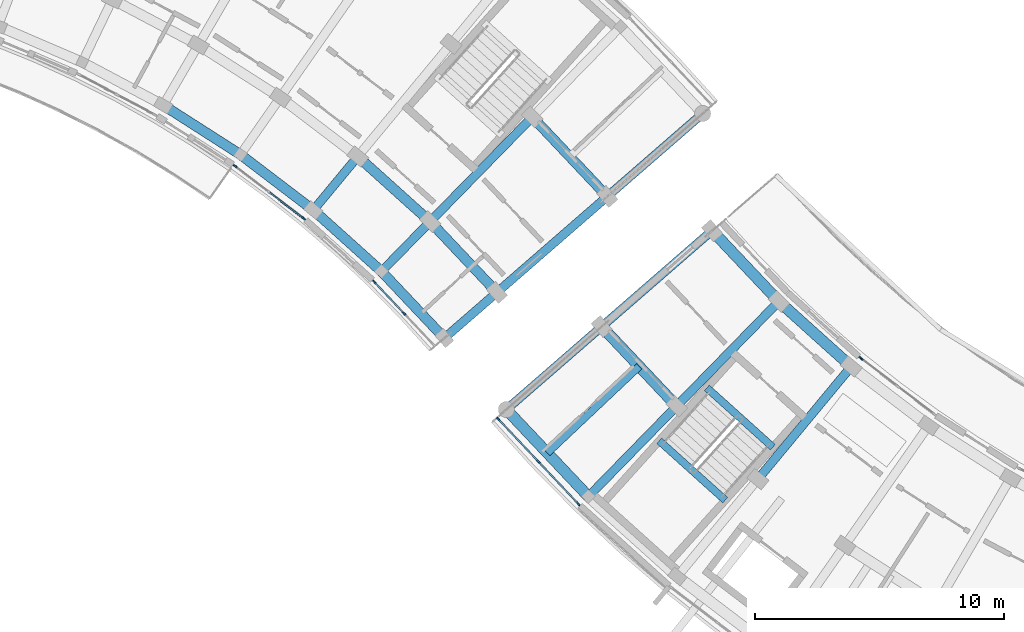
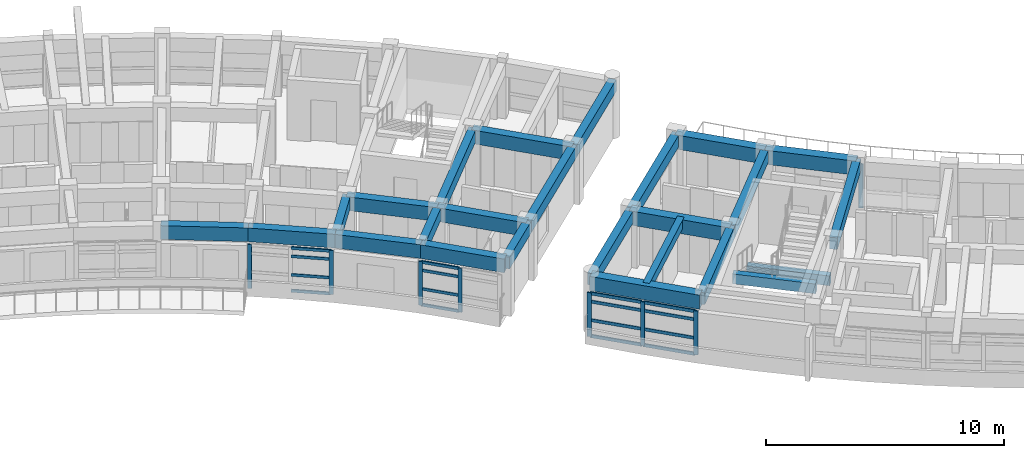
# One storey, part 10 of 54: 25 beams, 24 members, 4 elements without a shape of their own.
"""IFC4 building model written with IfcOpenShell, lengths in metres."""

from ifc_helpers import new_model, si_unit, direction, frame, origin, origin_2d, place, context, subcontext, project, spatial, rectangle, extrude, material, material_profile, profile_set, type_object, element, aggregate, save


model = new_model("IFC4")

# Units and contexts
model_context = context("Model", 3, precision=1e-05, world=origin(), true_north=direction((0.0, 1.0)))
body_context = subcontext(model_context, "Body", "Model", "MODEL_VIEW")
ifc_project = project(units=[si_unit("LENGTHUNIT", "METRE"), si_unit("AREAUNIT", "SQUARE_METRE"), si_unit("VOLUMEUNIT", "CUBIC_METRE"), si_unit("PLANEANGLEUNIT", "RADIAN"), si_unit("MASSUNIT", "GRAM", prefix="KILO")], contexts=[model_context])

# Site, building, storey
site_placement = place(None, origin())
site = spatial("IfcSite", under=ifc_project, at=site_placement, CompositionType="ELEMENT")
building_placement = place(site_placement, origin())
building = spatial("IfcBuilding", under=site, at=building_placement, Name="Zimvara Arc Housing Community", CompositionType="ELEMENT")
storey_placement = place(building_placement, frame((0.0, 0.0, 23.60009765625)))
storey = spatial("IfcBuildingStorey", under=building, at=storey_placement, Name="L07", CompositionType="ELEMENT", Elevation=23.60009765625)

# Beams
ifc_material_1 = material(Name="Concrete C40/50", Category="concrete")
ifc_material_profile_1 = material_profile(ifc_material_1, rectangle(XDim=0.300048828125, YDim=0.449951171875, at=origin_2d()), Name="RC 300x450")
ifc_profile_set_1 = profile_set([ifc_material_profile_1], Name="Concrete C40/50")
beam_type_1 = type_object("IfcBeamType", Name="BM-RC-300x450", PredefinedType="JOIST", material=ifc_profile_set_1)
beam_1_placement = place(storey_placement, frame((86.88427734375, 72.966552734375, 2.635009765625), z_axis=(-0.727299876429, -0.686319815936, 0.0), x_axis=(0.686319815936, -0.727299876429, 0.0)))
element("IfcBeam", 1, at=beam_1_placement, inside=storey, type_object=beam_type_1, Name="bm:blkC:L07:joist:b0", PredefinedType="JOIST", context=body_context, shape_type="SweptSolid", body=[
    extrude(rectangle(XDim=0.300048828125, YDim=0.449951171875, at=origin_2d()), origin(), (0.0, 0.0, 1.0), 5.075927734375),
])
ifc_material_2 = material(Name="Concrete C40/50", Category="concrete")
ifc_material_profile_2 = material_profile(ifc_material_2, rectangle(XDim=0.300048828125, YDim=0.5, at=origin_2d()), Name="RC 300x500")
ifc_profile_set_2 = profile_set([ifc_material_profile_2], Name="Concrete C40/50")
beam_type_2 = type_object("IfcBeamType", Name="BM-RC-300x500", PredefinedType="BEAM", material=ifc_profile_set_2)
beam_2_placement = place(storey_placement, frame((89.604248046875, 72.100830078125, -0.25), z_axis=(0.743396155404, -0.668851370732, 0.0), x_axis=(0.668851370732, 0.743396155404, 0.0)))
element("IfcBeam", 2, at=beam_2_placement, inside=storey, type_object=beam_type_2, Name="bm:stair_trim:ST-C1:L07:near", PredefinedType="BEAM", context=body_context, shape_type="SweptSolid", body=[
    extrude(rectangle(XDim=0.300048828125, YDim=0.5, at=origin_2d()), origin(), (0.0, 0.0, 1.0), 3.56982421875),
])
beam_3_placement = place(storey_placement, frame((87.68994140625, 69.973388671875, 1.2998046875), z_axis=(0.743362151162, -0.668889162881, 0.0), x_axis=(0.668889162881, 0.743362151162, 0.0)))
element("IfcBeam", 3, at=beam_3_placement, inside=storey, type_object=beam_type_2, Name="bm:stair_trim:ST-C1:L07:mid", PredefinedType="BEAM", context=body_context, shape_type="SweptSolid", body=[
    extrude(rectangle(XDim=0.300048828125, YDim=0.5, at=origin_2d()), origin(), (0.0, 0.0, 1.0), 3.570068359375),
])
ifc_material_3 = material(Name="Concrete C40/50", Category="concrete")
ifc_material_profile_3 = material_profile(ifc_material_3, rectangle(XDim=0.35009765625, YDim=0.60009765625, at=origin_2d()), Name="RC 350x600")
ifc_profile_set_3 = profile_set([ifc_material_profile_3], Name="Concrete C40/50")
beam_type_3 = type_object("IfcBeamType", Name="BM-RC-350x600", PredefinedType="BEAM", material=ifc_profile_set_3)
for number, where, z_axis, x_axis, name in (
    (4, (73.784912109375, 79.245361328125, 2.559814453125), (0.637917412223, 0.770104781951, 0.0), (-0.770104781951, 0.637917412223, 0.0), "bm:blkB:L07:rad:b8:r01"),
    (5, (76.523681640625, 76.781005859375, 2.559814453125), (0.698643013894, 0.71547043205, 0.0), (-0.71547043205, 0.698643013894, 0.0), "bm:blkB:L07:rad:b9:r01"),
):
    element("IfcBeam", number, at=place(storey_placement, frame(where, z_axis=z_axis, x_axis=x_axis)), inside=storey, type_object=beam_type_3, Name=name, PredefinedType="BEAM", context=body_context, shape_type="SweptSolid", body=[
        extrude(rectangle(XDim=0.35009765625, YDim=0.60009765625, at=origin_2d()), origin(), (0.0, 0.0, 1.0), 2.800048828125),
    ])
beam_4_placement = place(storey_placement, frame((78.47998046875, 78.784423828125, 2.559814453125), z_axis=(0.698669844288, 0.715444231707, 0.0), x_axis=(-0.715444231707, 0.698669844288, 0.0)))
element("IfcBeam", 6, at=beam_4_placement, inside=storey, type_object=beam_type_3, Name="bm:blkB:L07:rad:b9:r12", PredefinedType="BEAM", context=body_context, shape_type="SweptSolid", body=[
    extrude(rectangle(XDim=0.35009765625, YDim=0.60009765625, at=origin_2d()), origin(), (0.0, 0.0, 1.0), 5.8798828125),
])
beam_5_placement = place(storey_placement, frame((79.052490234375, 74.101318359375, 2.559814453125), z_axis=(0.754733151583, 0.656031912259, 0.0), x_axis=(-0.656031912259, 0.754733151583, 0.0)))
element("IfcBeam", 7, at=beam_5_placement, inside=storey, type_object=beam_type_3, Name="bm:blkB:L07:rad:b10:r01", PredefinedType="BEAM", context=body_context, shape_type="SweptSolid", body=[
    extrude(rectangle(XDim=0.35009765625, YDim=0.60009765625, at=origin_2d()), origin(), (0.0, 0.0, 1.0), 2.800048828125),
])
beam_6_placement = place(storey_placement, frame((81.165771484375, 75.938232421875, 2.559814453125), z_axis=(0.754692223258, 0.656078995362, 0.0), x_axis=(-0.656078995362, 0.754692223258, 0.0)))
element("IfcBeam", 8, at=beam_6_placement, inside=storey, type_object=beam_type_3, Name="bm:blkB:L07:rad:b10:r12", PredefinedType="BEAM", context=body_context, shape_type="SweptSolid", body=[
    extrude(rectangle(XDim=0.35009765625, YDim=0.60009765625, at=origin_2d()), origin(), (0.0, 0.0, 1.0), 5.8798828125),
])
beam_7_placement = place(storey_placement, frame((85.603271484375, 79.7958984375, 2.559814453125), z_axis=(0.754716217499, 0.656051393599, 0.0), x_axis=(-0.656051393599, 0.754716217499, 0.0)))
element("IfcBeam", 9, at=beam_7_placement, inside=storey, type_object=beam_type_3, Name="bm:blkB:L07:rad:b10:r23", PredefinedType="BEAM", context=body_context, shape_type="SweptSolid", body=[
    extrude(rectangle(XDim=0.35009765625, YDim=0.60009765625, at=origin_2d()), origin(), (0.0, 0.0, 1.0), 5.080078125),
])
beam_8_placement = place(storey_placement, frame((89.814208984375, 78.421630859375, 2.559814453125), z_axis=(-0.754692223258, -0.656078995362, 0.0), x_axis=(0.656078995362, -0.754692223258, 0.0)))
element("IfcBeam", 10, at=beam_8_placement, inside=storey, type_object=beam_type_3, Name="bm:blkC:L07:rad:b0:r12", PredefinedType="BEAM", context=body_context, shape_type="SweptSolid", body=[
    extrude(rectangle(XDim=0.35009765625, YDim=0.60009765625, at=origin_2d()), origin(), (0.0, 0.0, 1.0), 5.8798828125),
])
beam_9_placement = place(storey_placement, frame((85.376708984375, 74.56396484375, 2.559814453125), z_axis=(-0.754716217499, -0.656051393599, 0.0), x_axis=(0.656051393599, -0.754716217499, 0.0)))
element("IfcBeam", 11, at=beam_9_placement, inside=storey, type_object=beam_type_3, Name="bm:blkC:L07:rad:b0:r23", PredefinedType="BEAM", context=body_context, shape_type="SweptSolid", body=[
    extrude(rectangle(XDim=0.35009765625, YDim=0.60009765625, at=origin_2d()), origin(), (0.0, 0.0, 1.0), 5.080078125),
])
beam_10_placement = place(storey_placement, frame((92.5, 75.57568359375, 2.559814453125), z_axis=(-0.698669844288, -0.715444231707, 0.0), x_axis=(0.715444231707, -0.698669844288, 0.0)))
element("IfcBeam", 12, at=beam_10_placement, inside=storey, type_object=beam_type_3, Name="bm:blkC:L07:rad:b1:r12", PredefinedType="BEAM", context=body_context, shape_type="SweptSolid", body=[
    extrude(rectangle(XDim=0.35009765625, YDim=0.60009765625, at=origin_2d()), origin(), (0.0, 0.0, 1.0), 5.8798828125),
])
beam_11_placement = place(storey_placement, frame((88.391845703125, 71.368896484375, 2.559814453125), z_axis=(-0.698670885014, -0.71544321538, 0.0), x_axis=(0.71544321538, -0.698670885014, 0.0)))
element("IfcBeam", 13, at=beam_11_placement, inside=storey, type_object=beam_type_3, Name="bm:blkC:L07:rad:b1:r23", PredefinedType="BEAM", context=body_context, shape_type="SweptSolid", body=[
    extrude(rectangle(XDim=0.35009765625, YDim=0.60009765625, at=origin_2d()), origin(), (0.0, 0.0, 1.0), 5.080078125),
])
beam_12_placement = place(storey_placement, frame((95.408935546875, 72.958251953125, 2.559814453125), z_axis=(-0.637976362518, -0.770055946583, 0.0), x_axis=(0.770055946583, -0.637976362518, 0.0)))
element("IfcBeam", 14, at=beam_12_placement, inside=storey, type_object=beam_type_3, Name="bm:blkC:L07:rad:b2:r12", PredefinedType="BEAM", context=body_context, shape_type="SweptSolid", body=[
    extrude(rectangle(XDim=0.35009765625, YDim=0.60009765625, at=origin_2d()), origin(), (0.0, 0.0, 1.0), 5.8798828125),
])
ifc_material_4 = material(Name="Concrete C40/50", Category="concrete")
ifc_material_profile_4 = material_profile(ifc_material_4, rectangle(XDim=0.39990234375, YDim=0.699951171875, at=origin_2d()), Name="RC 400x700")
ifc_profile_set_4 = profile_set([ifc_material_profile_4], Name="Concrete C40/50")
beam_type_4 = type_object("IfcBeamType", Name="BM-RC-400x700", PredefinedType="BEAM", material=ifc_profile_set_4)
beam_13_placement = place(storey_placement, frame((67.750732421875, 83.46435546875, 2.510009765625), z_axis=(0.842272604079, -0.539051816079, 0.0), x_axis=(0.539051816079, 0.842272604079, 0.0)))
element("IfcBeam", 15, at=beam_13_placement, inside=storey, type_object=beam_type_4, Name="bm:blkB:L07:chord:r0:b6", PredefinedType="BEAM", context=body_context, shape_type="SweptSolid", body=[
    extrude(rectangle(XDim=0.39990234375, YDim=0.699951171875, at=origin_2d()), origin(), (0.0, 0.0, 1.0), 3.684326171875),
])
beam_14_placement = place(storey_placement, frame((70.85400390625, 81.478271484375, 2.510009765625), z_axis=(0.795453014049, -0.606015265847, 0.0), x_axis=(0.606015265847, 0.795453014049, 0.0)))
element("IfcBeam", 16, at=beam_14_placement, inside=storey, type_object=beam_type_4, Name="bm:blkB:L07:chord:r0:b7", PredefinedType="BEAM", context=body_context, shape_type="SweptSolid", body=[
    extrude(rectangle(XDim=0.39990234375, YDim=0.699951171875, at=origin_2d()), origin(), (0.0, 0.0, 1.0), 3.6845703125),
])
beam_15_placement = place(storey_placement, frame((73.784912109375, 79.245361328125, 2.510009765625), z_axis=(0.743366631239, -0.668884183966, 0.0), x_axis=(0.668884183966, 0.743366631239, 0.0)))
element("IfcBeam", 17, at=beam_15_placement, inside=storey, type_object=beam_type_4, Name="bm:blkB:L07:chord:r0:b8", PredefinedType="BEAM", context=body_context, shape_type="SweptSolid", body=[
    extrude(rectangle(XDim=0.39990234375, YDim=0.699951171875, at=origin_2d()), origin(), (0.0, 0.0, 1.0), 3.684326171875),
])
beam_16_placement = place(storey_placement, frame((76.523681640625, 76.781005859375, 2.510009765625), z_axis=(0.686335517678, -0.727285059088, 0.0), x_axis=(0.727285059088, 0.686335517678, 0.0)))
element("IfcBeam", 18, at=beam_16_placement, inside=storey, type_object=beam_type_4, Name="bm:blkB:L07:chord:r0:b9", PredefinedType="BEAM", context=body_context, shape_type="SweptSolid", body=[
    extrude(rectangle(XDim=0.39990234375, YDim=0.699951171875, at=origin_2d()), origin(), (0.0, 0.0, 1.0), 3.6845703125),
])
beam_17_placement = place(storey_placement, frame((75.571044921875, 81.401611328125, 2.510009765625), z_axis=(0.743402719516, -0.668844074965, 0.0), x_axis=(0.668844074965, 0.743402719516, 0.0)))
element("IfcBeam", 19, at=beam_17_placement, inside=storey, type_object=beam_type_4, Name="bm:blkB:L07:chord:r1:b8", PredefinedType="BEAM", context=body_context, shape_type="SweptSolid", body=[
    extrude(rectangle(XDim=0.39990234375, YDim=0.699951171875, at=origin_2d()), origin(), (0.0, 0.0, 1.0), 3.9130859375),
])
beam_18_placement = place(storey_placement, frame((78.47998046875, 78.784423828125, 2.510009765625), z_axis=(0.686315710793, -0.727303750243, 0.0), x_axis=(0.727303750243, 0.686315710793, 0.0)))
element("IfcBeam", 20, at=beam_18_placement, inside=storey, type_object=beam_type_4, Name="bm:blkB:L07:chord:r1:b9", PredefinedType="BEAM", context=body_context, shape_type="SweptSolid", body=[
    extrude(rectangle(XDim=0.39990234375, YDim=0.699951171875, at=origin_2d()), origin(), (0.0, 0.0, 1.0), 3.913330078125),
])
beam_19_placement = place(storey_placement, frame((82.588134765625, 82.9912109375, 2.510009765625), z_axis=(0.686303637813, -0.727315142648, 0.0), x_axis=(0.727315142648, 0.686303637813, 0.0)))
element("IfcBeam", 21, at=beam_19_placement, inside=storey, type_object=beam_type_4, Name="bm:blkB:L07:chord:r2:b9", PredefinedType="BEAM", context=body_context, shape_type="SweptSolid", body=[
    extrude(rectangle(XDim=0.39990234375, YDim=0.699951171875, at=origin_2d()), origin(), (0.0, 0.0, 1.0), 4.393310546875),
])
ifc_material_5 = material(Name="Concrete C40/50", Category="concrete")
ifc_material_profile_5 = material_profile(ifc_material_5, rectangle(XDim=0.43994140625, YDim=0.719970703125, at=origin_2d()), Name="RC 440x720")
ifc_profile_set_5 = profile_set([ifc_material_profile_5], Name="Concrete C40/50")
beam_type_5 = type_object("IfcBeamType", Name="BM-RC-440x720", PredefinedType="BEAM", material=ifc_profile_set_5)
for number, where, z_axis, x_axis, name in (
    (22, (89.814208984375, 78.421630859375, 2.5), (0.686346852505, -0.727274362299, 0.0), (0.727274362299, 0.686346852505, 0.0), "bm:blkC:L07:chord:r1:b0"),
    (23, (92.5, 75.57568359375, 2.5), (0.743371697344, -0.668878553691, 0.0), (0.668878553691, 0.743371697344, 0.0), "bm:blkC:L07:chord:r1:b1"),
):
    element("IfcBeam", number, at=place(storey_placement, frame(where, z_axis=z_axis, x_axis=x_axis)), inside=storey, type_object=beam_type_5, Name=name, PredefinedType="BEAM", context=body_context, shape_type="SweptSolid", body=[
        extrude(rectangle(XDim=0.43994140625, YDim=0.719970703125, at=origin_2d()), origin(), (0.0, 0.0, 1.0), 3.9130859375),
    ])
beam_20_placement = place(storey_placement, frame((85.376708984375, 74.56396484375, 2.5), z_axis=(0.686331377274, -0.727288966347, 0.0), x_axis=(0.727288966347, 0.686331377274, 0.0)))
element("IfcBeam", 24, at=beam_20_placement, inside=storey, type_object=beam_type_5, Name="bm:blkC:L07:chord:r2:b0", PredefinedType="BEAM", context=body_context, shape_type="SweptSolid", body=[
    extrude(rectangle(XDim=0.43994140625, YDim=0.719970703125, at=origin_2d()), origin(), (0.0, 0.0, 1.0), 4.39306640625),
])
beam_21_placement = place(storey_placement, frame((81.542724609375, 71.231201171875, 2.5), z_axis=(0.686320791145, -0.727298956168, 0.0), x_axis=(0.727298956168, 0.686320791145, 0.0)))
element("IfcBeam", 25, at=beam_21_placement, inside=storey, type_object=beam_type_5, Name="bm:blkC:L07:chord:r3:b0", PredefinedType="BEAM", context=body_context, shape_type="SweptSolid", body=[
    extrude(rectangle(XDim=0.43994140625, YDim=0.719970703125, at=origin_2d()), origin(), (0.0, 0.0, 1.0), 4.807861328125),
])

# Curtain wall, members
ifc_material_6 = material(Name="Anodised Aluminium AW-6063", Category="aluminium")
curtain_wall_type_1 = type_object("IfcCurtainWallType", Name="CW-SYS-02", PredefinedType="USERDEFINED", material=ifc_material_6)
curtain_wall_1_placement = place(storey_placement, origin())
curtain_wall_1 = element("IfcCurtainWall", 26, at=curtain_wall_1_placement, inside=storey, type_object=curtain_wall_type_1, Name="cw:blkB:L07:in:b7", ObjectType="CURTAIN WALL", PredefinedType="USERDEFINED")
ifc_material_7 = material(Name="Anodised Aluminium AW-6063", Category="aluminium")
ifc_material_profile_6 = material_profile(ifc_material_7, rectangle(XDim=0.06494140625, YDim=0.179931640625, at=origin_2d()), Name="ALU 65x180")
ifc_profile_set_6 = profile_set([ifc_material_profile_6], Name="Anodised Aluminium AW-6063")
member_type_1 = type_object("IfcMemberType", Name="CWM-65x150", PredefinedType="MULLION", material=ifc_profile_set_6)
member_1_placement = place(storey_placement, frame((70.64111328125, 81.012451171875, 0.0), z_axis=(0.0, 0.0, 1.0), x_axis=(0.605988318533, 0.795473543119, 0.0)))
member_1 = element("IfcMember", 27, at=member_1_placement, type_object=member_type_1, Name="CW02 mullion 1", PredefinedType="MULLION", context=body_context, shape_type="SweptSolid", body=[
    extrude(rectangle(XDim=0.06494140625, YDim=0.179931640625, at=origin_2d()), origin(), (0.0, 0.0, 1.0), 2.25),
])
member_2_placement = place(storey_placement, frame((73.392333984375, 78.91650390625, 0.0), z_axis=(0.0, 0.0, 1.0), x_axis=(0.605988318533, 0.795473543119, 0.0)))
member_2 = element("IfcMember", 28, at=member_2_placement, type_object=member_type_1, Name="CW02 mullion 3", PredefinedType="MULLION", context=body_context, shape_type="SweptSolid", body=[
    extrude(rectangle(XDim=0.06494140625, YDim=0.179931640625, at=origin_2d()), origin(), (0.0, 0.0, 1.0), 2.25),
])

ifc_material_8 = material(Name="Anodised Aluminium AW-6063", Category="aluminium")
curtain_wall_type_2 = type_object("IfcCurtainWallType", Name="CW-SYS-04", PredefinedType="USERDEFINED", material=ifc_material_8)
curtain_wall_2_placement = place(storey_placement, origin())
curtain_wall_2 = element("IfcCurtainWall", 29, at=curtain_wall_2_placement, inside=storey, type_object=curtain_wall_type_2, Name="cw:blkB:L07:in:b9", ObjectType="CURTAIN WALL", PredefinedType="USERDEFINED")
member_3_placement = place(storey_placement, frame((76.238037109375, 76.35595703125, 0.0), z_axis=(0.0, 0.0, 1.0), x_axis=(0.727293280483, 0.686326805658, 0.0)))
member_3 = element("IfcMember", 30, at=member_3_placement, type_object=member_type_1, Name="CW04 mullion 1", PredefinedType="MULLION", context=body_context, shape_type="SweptSolid", body=[
    extrude(rectangle(XDim=0.06494140625, YDim=0.179931640625, at=origin_2d()), origin(), (0.0, 0.0, 1.0), 2.25),
])
member_4_placement = place(storey_placement, frame((77.4248046875, 75.098388671875, 0.0), z_axis=(0.0, 0.0, 1.0), x_axis=(0.727293280483, 0.686326805658, 0.0)))
member_4 = element("IfcMember", 31, at=member_4_placement, type_object=member_type_1, Name="CW04 mullion 2", PredefinedType="MULLION", context=body_context, shape_type="SweptSolid", body=[
    extrude(rectangle(XDim=0.06494140625, YDim=0.179931640625, at=origin_2d()), origin(), (0.0, 0.0, 1.0), 2.25),
])

ifc_material_9 = material(Name="Anodised Aluminium AW-6063", Category="aluminium")
curtain_wall_type_3 = type_object("IfcCurtainWallType", Name="CW-SYS-03", PredefinedType="USERDEFINED", material=ifc_material_9)
curtain_wall_3_placement = place(storey_placement, origin())
curtain_wall_3 = element("IfcCurtainWall", 32, at=curtain_wall_3_placement, inside=storey, type_object=curtain_wall_type_3, Name="cw:blkC:L07:out:b0", ObjectType="CURTAIN WALL", PredefinedType="USERDEFINED")
ifc_material_10 = material(Name="Anodised Aluminium AW-6063", Category="aluminium")
ifc_material_profile_7 = material_profile(ifc_material_10, rectangle(XDim=0.06494140625, YDim=0.195068359375, at=origin_2d()), Name="ALU 65x195")
ifc_profile_set_7 = profile_set([ifc_material_profile_7], Name="Anodised Aluminium AW-6063")
member_type_2 = type_object("IfcMemberType", Name="CWM-65x180", PredefinedType="MULLION", material=ifc_profile_set_7)
member_5_placement = place(storey_placement, frame((81.228759765625, 70.8359375, 0.0), z_axis=(0.0, 0.0, 1.0), x_axis=(0.727293647725, 0.686326416495, 0.0)))
member_5 = element("IfcMember", 33, at=member_5_placement, type_object=member_type_2, Name="CW03 mullion 1", PredefinedType="MULLION", context=body_context, shape_type="SweptSolid", body=[
    extrude(rectangle(XDim=0.06494140625, YDim=0.195068359375, at=origin_2d()), origin(), (0.0, 0.0, 1.0), 2.25),
])
member_6_placement = place(storey_placement, frame((82.829345703125, 69.139892578125, 0.0), z_axis=(0.0, 0.0, 1.0), x_axis=(0.727293647725, 0.686326416495, 0.0)))
member_6 = element("IfcMember", 34, at=member_6_placement, type_object=member_type_2, Name="CW03 mullion 2", PredefinedType="MULLION", context=body_context, shape_type="SweptSolid", body=[
    extrude(rectangle(XDim=0.06494140625, YDim=0.195068359375, at=origin_2d()), origin(), (0.0, 0.0, 1.0), 2.25),
])
member_7_placement = place(storey_placement, frame((84.4296875, 67.44384765625, 0.0), z_axis=(0.0, 0.0, 1.0), x_axis=(0.727293647725, 0.686326416495, 0.0)))
member_7 = element("IfcMember", 35, at=member_7_placement, type_object=member_type_2, Name="CW03 mullion 3", PredefinedType="MULLION", context=body_context, shape_type="SweptSolid", body=[
    extrude(rectangle(XDim=0.06494140625, YDim=0.195068359375, at=origin_2d()), origin(), (0.0, 0.0, 1.0), 2.25),
])

# Curtain wall, member
ifc_material_11 = material(Name="Anodised Aluminium AW-6063", Category="aluminium")
curtain_wall_type_4 = type_object("IfcCurtainWallType", Name="CW-SYS-05", PredefinedType="USERDEFINED", material=ifc_material_11)
curtain_wall_4_placement = place(storey_placement, origin())
curtain_wall_4 = element("IfcCurtainWall", 36, at=curtain_wall_4_placement, inside=storey, type_object=curtain_wall_type_4, Name="cw:blkC:L07:in:b2", ObjectType="CURTAIN WALL", PredefinedType="USERDEFINED")
member_8_placement = place(storey_placement, frame((95.801513671875, 73.287353515625, 0.0), z_axis=(0.0, 0.0, 1.0), x_axis=(0.605987809503, 0.795473930895, 0.0)))
member_8 = element("IfcMember", 37, at=member_8_placement, type_object=member_type_2, Name="CW05 mullion 1", PredefinedType="MULLION", context=body_context, shape_type="SweptSolid", body=[
    extrude(rectangle(XDim=0.06494140625, YDim=0.195068359375, at=origin_2d()), origin(), (0.0, 0.0, 1.0), 2.25),
])
aggregate(curtain_wall_4, [member_8])

# Member
ifc_material_12 = material(Name="Anodised Aluminium AW-6063", Category="aluminium")
ifc_material_profile_8 = material_profile(ifc_material_12, rectangle(XDim=0.06494140625, YDim=0.139892578125, at=origin_2d()), Name="ALU 65x140")
ifc_profile_set_8 = profile_set([ifc_material_profile_8], Name="Anodised Aluminium AW-6063")
member_type_3 = type_object("IfcMemberType", Name="CWT-65x120", PredefinedType="USERDEFINED", material=ifc_profile_set_8)
member_9_placement = place(storey_placement, frame((72.04248046875, 79.94482421875, 0.032470703125), z_axis=(0.795488960577, -0.605968079687, 0.0), x_axis=(0.605968079687, 0.795488960577, 0.0)))
member_9 = element("IfcMember", 38, at=member_9_placement, type_object=member_type_3, Name="CW02 transom 2.1", ObjectType="TRANSOM", PredefinedType="USERDEFINED", context=body_context, shape_type="SweptSolid", body=[
    extrude(rectangle(XDim=0.06494140625, YDim=0.139892578125, at=origin_2d()), origin(), (0.0, 0.0, 1.0), 1.664306640625),
])

member_10_placement = place(storey_placement, frame((72.04248046875, 79.94482421875, 0.849853515625), z_axis=(0.795488960577, -0.605968079687, 0.0), x_axis=(0.605968079687, 0.795488960577, 0.0)))
member_10 = element("IfcMember", 39, at=member_10_placement, type_object=member_type_3, Name="CW02 transom 2.2", ObjectType="TRANSOM", PredefinedType="USERDEFINED", context=body_context, shape_type="SweptSolid", body=[
    extrude(rectangle(XDim=0.06494140625, YDim=0.139892578125, at=origin_2d()), origin(), (0.0, 0.0, 1.0), 1.664306640625),
])

member_11_placement = place(storey_placement, frame((72.04248046875, 79.94482421875, 1.7998046875), z_axis=(0.795488960577, -0.605968079687, 0.0), x_axis=(0.605968079687, 0.795488960577, 0.0)))
member_11 = element("IfcMember", 40, at=member_11_placement, type_object=member_type_3, Name="CW02 transom 2.3", ObjectType="TRANSOM", PredefinedType="USERDEFINED", context=body_context, shape_type="SweptSolid", body=[
    extrude(rectangle(XDim=0.06494140625, YDim=0.139892578125, at=origin_2d()), origin(), (0.0, 0.0, 1.0), 1.664306640625),
])

member_12_placement = place(storey_placement, frame((72.04248046875, 79.94482421875, 2.21728515625), z_axis=(0.795488960577, -0.605968079687, 0.0), x_axis=(0.605968079687, 0.795488960577, 0.0)))
member_12 = element("IfcMember", 41, at=member_12_placement, type_object=member_type_3, Name="CW02 transom 2.4", ObjectType="TRANSOM", PredefinedType="USERDEFINED", context=body_context, shape_type="SweptSolid", body=[
    extrude(rectangle(XDim=0.06494140625, YDim=0.139892578125, at=origin_2d()), origin(), (0.0, 0.0, 1.0), 1.664306640625),
])

aggregate(curtain_wall_1, [member_1, member_2, member_9, member_10, member_11, member_12])

member_13_placement = place(storey_placement, frame((76.26025390625, 76.33251953125, 0.032470703125), z_axis=(0.686347817597, -0.727273451516, 0.0), x_axis=(0.727273451516, 0.686347817597, 0.0)))
member_13 = element("IfcMember", 42, at=member_13_placement, type_object=member_type_3, Name="CW04 transom 1.1", ObjectType="TRANSOM", PredefinedType="USERDEFINED", context=body_context, shape_type="SweptSolid", body=[
    extrude(rectangle(XDim=0.06494140625, YDim=0.139892578125, at=origin_2d()), origin(), (0.0, 0.0, 1.0), 1.664306640625),
])

member_14_placement = place(storey_placement, frame((76.26025390625, 76.33251953125, 0.849853515625), z_axis=(0.686347817597, -0.727273451516, 0.0), x_axis=(0.727273451516, 0.686347817597, 0.0)))
member_14 = element("IfcMember", 43, at=member_14_placement, type_object=member_type_3, Name="CW04 transom 1.2", ObjectType="TRANSOM", PredefinedType="USERDEFINED", context=body_context, shape_type="SweptSolid", body=[
    extrude(rectangle(XDim=0.06494140625, YDim=0.139892578125, at=origin_2d()), origin(), (0.0, 0.0, 1.0), 1.664306640625),
])

member_15_placement = place(storey_placement, frame((76.26025390625, 76.33251953125, 1.7998046875), z_axis=(0.686347817597, -0.727273451516, 0.0), x_axis=(0.727273451516, 0.686347817597, 0.0)))
member_15 = element("IfcMember", 44, at=member_15_placement, type_object=member_type_3, Name="CW04 transom 1.3", ObjectType="TRANSOM", PredefinedType="USERDEFINED", context=body_context, shape_type="SweptSolid", body=[
    extrude(rectangle(XDim=0.06494140625, YDim=0.139892578125, at=origin_2d()), origin(), (0.0, 0.0, 1.0), 1.664306640625),
])

member_16_placement = place(storey_placement, frame((76.26025390625, 76.33251953125, 2.21728515625), z_axis=(0.686347817597, -0.727273451516, 0.0), x_axis=(0.727273451516, 0.686347817597, 0.0)))
member_16 = element("IfcMember", 45, at=member_16_placement, type_object=member_type_3, Name="CW04 transom 1.4", ObjectType="TRANSOM", PredefinedType="USERDEFINED", context=body_context, shape_type="SweptSolid", body=[
    extrude(rectangle(XDim=0.06494140625, YDim=0.139892578125, at=origin_2d()), origin(), (0.0, 0.0, 1.0), 1.664306640625),
])

aggregate(curtain_wall_2, [member_3, member_4, member_13, member_14, member_15, member_16])

ifc_material_13 = material(Name="Anodised Aluminium AW-6063", Category="aluminium")
ifc_material_profile_9 = material_profile(ifc_material_13, rectangle(XDim=0.06494140625, YDim=0.155029296875, at=origin_2d()), Name="ALU 65x155")
ifc_profile_set_9 = profile_set([ifc_material_profile_9], Name="Anodised Aluminium AW-6063")
member_type_4 = type_object("IfcMemberType", Name="CWT-65x140", PredefinedType="USERDEFINED", material=ifc_profile_set_9)
member_17_placement = place(storey_placement, frame((81.251220703125, 70.812255859375, 0.032470703125), z_axis=(0.68629138792, -0.727326701604, 0.0), x_axis=(0.727326701604, 0.68629138792, 0.0)))
member_17 = element("IfcMember", 46, at=member_17_placement, type_object=member_type_4, Name="CW03 transom 1.1", ObjectType="TRANSOM", PredefinedType="USERDEFINED", context=body_context, shape_type="SweptSolid", body=[
    extrude(rectangle(XDim=0.06494140625, YDim=0.155029296875, at=origin_2d()), origin(), (0.0, 0.0, 1.0), 2.266845703125),
])

member_18_placement = place(storey_placement, frame((81.251220703125, 70.812255859375, 0.849853515625), z_axis=(0.68629138792, -0.727326701604, 0.0), x_axis=(0.727326701604, 0.68629138792, 0.0)))
member_18 = element("IfcMember", 47, at=member_18_placement, type_object=member_type_4, Name="CW03 transom 1.2", ObjectType="TRANSOM", PredefinedType="USERDEFINED", context=body_context, shape_type="SweptSolid", body=[
    extrude(rectangle(XDim=0.06494140625, YDim=0.155029296875, at=origin_2d()), origin(), (0.0, 0.0, 1.0), 2.266845703125),
])

member_19_placement = place(storey_placement, frame((81.251220703125, 70.812255859375, 1.7998046875), z_axis=(0.68629138792, -0.727326701604, 0.0), x_axis=(0.727326701604, 0.68629138792, 0.0)))
member_19 = element("IfcMember", 48, at=member_19_placement, type_object=member_type_4, Name="CW03 transom 1.3", ObjectType="TRANSOM", PredefinedType="USERDEFINED", context=body_context, shape_type="SweptSolid", body=[
    extrude(rectangle(XDim=0.06494140625, YDim=0.155029296875, at=origin_2d()), origin(), (0.0, 0.0, 1.0), 2.266845703125),
])

member_20_placement = place(storey_placement, frame((81.251220703125, 70.812255859375, 2.21728515625), z_axis=(0.68629138792, -0.727326701604, 0.0), x_axis=(0.727326701604, 0.68629138792, 0.0)))
member_20 = element("IfcMember", 49, at=member_20_placement, type_object=member_type_4, Name="CW03 transom 1.4", ObjectType="TRANSOM", PredefinedType="USERDEFINED", context=body_context, shape_type="SweptSolid", body=[
    extrude(rectangle(XDim=0.06494140625, YDim=0.155029296875, at=origin_2d()), origin(), (0.0, 0.0, 1.0), 2.266845703125),
])

member_21_placement = place(storey_placement, frame((82.8515625, 69.1162109375, 0.032470703125), z_axis=(0.686348357589, -0.727272941911, 0.0), x_axis=(0.727272941911, 0.686348357589, 0.0)))
member_21 = element("IfcMember", 50, at=member_21_placement, type_object=member_type_4, Name="CW03 transom 2.1", ObjectType="TRANSOM", PredefinedType="USERDEFINED", context=body_context, shape_type="SweptSolid", body=[
    extrude(rectangle(XDim=0.06494140625, YDim=0.155029296875, at=origin_2d()), origin(), (0.0, 0.0, 1.0), 2.266845703125),
])

member_22_placement = place(storey_placement, frame((82.8515625, 69.1162109375, 0.849853515625), z_axis=(0.686348357589, -0.727272941911, 0.0), x_axis=(0.727272941911, 0.686348357589, 0.0)))
member_22 = element("IfcMember", 51, at=member_22_placement, type_object=member_type_4, Name="CW03 transom 2.2", ObjectType="TRANSOM", PredefinedType="USERDEFINED", context=body_context, shape_type="SweptSolid", body=[
    extrude(rectangle(XDim=0.06494140625, YDim=0.155029296875, at=origin_2d()), origin(), (0.0, 0.0, 1.0), 2.266845703125),
])

member_23_placement = place(storey_placement, frame((82.8515625, 69.1162109375, 1.7998046875), z_axis=(0.686348357589, -0.727272941911, 0.0), x_axis=(0.727272941911, 0.686348357589, 0.0)))
member_23 = element("IfcMember", 52, at=member_23_placement, type_object=member_type_4, Name="CW03 transom 2.3", ObjectType="TRANSOM", PredefinedType="USERDEFINED", context=body_context, shape_type="SweptSolid", body=[
    extrude(rectangle(XDim=0.06494140625, YDim=0.155029296875, at=origin_2d()), origin(), (0.0, 0.0, 1.0), 2.266845703125),
])

member_24_placement = place(storey_placement, frame((82.8515625, 69.1162109375, 2.21728515625), z_axis=(0.686348357589, -0.727272941911, 0.0), x_axis=(0.727272941911, 0.686348357589, 0.0)))
member_24 = element("IfcMember", 53, at=member_24_placement, type_object=member_type_4, Name="CW03 transom 2.4", ObjectType="TRANSOM", PredefinedType="USERDEFINED", context=body_context, shape_type="SweptSolid", body=[
    extrude(rectangle(XDim=0.06494140625, YDim=0.155029296875, at=origin_2d()), origin(), (0.0, 0.0, 1.0), 2.266845703125),
])

aggregate(curtain_wall_3, [member_5, member_6, member_7, member_17, member_18, member_19, member_20, member_21, member_22, member_23, member_24])

save(model, "model.ifc")
